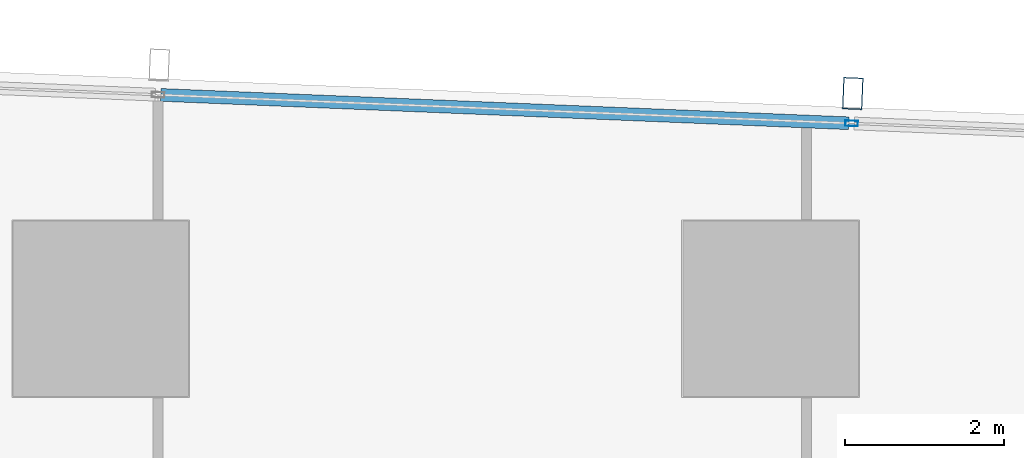
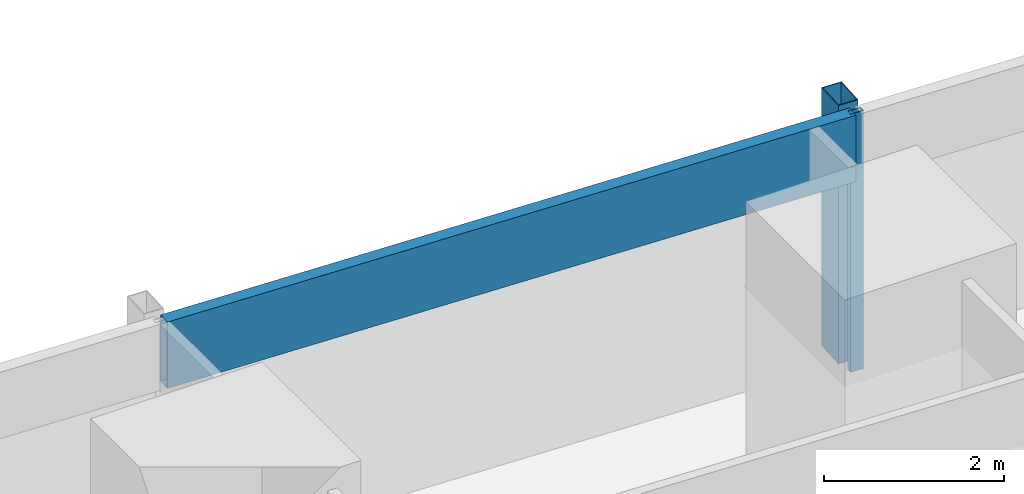
# One storey, part 22 of 42: 3 members, 1 element without a shape of its own.
"""IFC4 building model written with IfcOpenShell, lengths in metres."""

from ifc_helpers import new_model, si_unit, direction, frame, origin, origin_2d, place, context, subcontext, project, spatial, hollow_rectangle, extrude, material, material_profile, profile_set, type_object, element, aggregate, save


model = new_model("IFC4")

# Units and contexts
model_context = context("Model", 3, precision=1e-05, world=origin(), true_north=direction((0.0, 1.0)))
body_context = subcontext(model_context, "Body", "Model", "MODEL_VIEW")
ifc_project = project(units=[si_unit("LENGTHUNIT", "METRE"), si_unit("AREAUNIT", "SQUARE_METRE"), si_unit("VOLUMEUNIT", "CUBIC_METRE"), si_unit("PLANEANGLEUNIT", "RADIAN"), si_unit("MASSUNIT", "GRAM", prefix="KILO")], contexts=[model_context])

# Site, building, storey
site_placement = place(None, origin())
site = spatial("IfcSite", under=ifc_project, at=site_placement, CompositionType="ELEMENT")
building_placement = place(site_placement, origin())
building = spatial("IfcBuilding", under=site, at=building_placement, Name="Rekha Terrace Tower", CompositionType="ELEMENT")
storey_placement = place(building_placement, frame((0.0, 0.0, 70.39990234375)))
storey = spatial("IfcBuildingStorey", under=building, at=storey_placement, Name="L17", CompositionType="ELEMENT", Elevation=70.39990234375)

# Curtain wall, members
ifc_material_1 = material(Name="Aluminium framing", Category="aluminium")
curtain_wall_type = type_object("IfcCurtainWallType", Name="CW3 north unitised glazing", PredefinedType="USERDEFINED", material=ifc_material_1)
curtain_wall_placement = place(storey_placement, origin())
curtain_wall = element("IfcCurtainWall", 1, at=curtain_wall_placement, inside=storey, type_object=curtain_wall_type, Name="CW3 unitised curtain wall", ObjectType="UNITISED CURTAIN WALL", PredefinedType="USERDEFINED")
ifc_material_2 = material(Name="Steel S355 with fluorocarbon finish", Category="steel")
ifc_material_profile_1 = material_profile(ifc_material_2, hollow_rectangle(XDim=0.25, YDim=0.39990234375, WallThickness=0.012451171875, at=origin_2d()), Name="RHS400x250x12.5")
ifc_profile_set_1 = profile_set([ifc_material_profile_1], Name="Steel S355 with fluorocarbon finish")
member_type_1 = type_object("IfcMemberType", Name="BL1 facade blade RHS 400 x 250", PredefinedType="USERDEFINED", material=ifc_profile_set_1)
member_1_placement = place(storey_placement, frame((51.430419921875, 61.499267578125, 0.0), z_axis=(0.0, 0.0, 1.0), x_axis=(-0.99915196507, 0.041174636562, 0.0)))
member_1 = element("IfcMember", 2, at=member_1_placement, type_object=member_type_1, Name="Facade blade", ObjectType="FACADE BLADE", PredefinedType="USERDEFINED", context=body_context, shape_type="SweptSolid", body=[
    extrude(hollow_rectangle(XDim=0.25, YDim=0.39990234375, WallThickness=0.012451171875, at=origin_2d()), origin(), (0.0, 0.0, 1.0), 3.5),
])
ifc_material_3 = material(Name="Aluminium mullion section", Category="aluminium")
ifc_material_profile_2 = material_profile(ifc_material_3, hollow_rectangle(XDim=0.070068359375, YDim=0.159912109375, WallThickness=0.00390625, at=origin_2d()), Name="AL RHS 70x160")
ifc_profile_set_2 = profile_set([ifc_material_profile_2], Name="Aluminium mullion section")
member_type_2 = type_object("IfcMemberType", Name="CW3 mullion RHS 70 x 160", PredefinedType="MULLION", material=ifc_profile_set_2)
member_2_placement = place(storey_placement, frame((51.4150390625, 61.12451171875, 0.0), z_axis=(0.0, 0.0, 1.0), x_axis=(-0.041173846041, -0.999151997647, 0.0)))
member_2 = element("IfcMember", 3, at=member_2_placement, type_object=member_type_2, Name="CW3 mullion 3", PredefinedType="MULLION", context=body_context, shape_type="SweptSolid", body=[
    extrude(hollow_rectangle(XDim=0.070068359375, YDim=0.159912109375, WallThickness=0.00390625, at=origin_2d()), origin(), (0.0, 0.0, 1.0), 3.5),
])
ifc_material_4 = material(Name="Insulated aluminium spandrel box", Category="aluminium")
ifc_material_profile_3 = material_profile(ifc_material_4, hollow_rectangle(XDim=0.159912109375, YDim=0.89990234375, WallThickness=0.0029296875, at=origin_2d()), Name="AL SPANDREL BOX 160x900")
ifc_profile_set_3 = profile_set([ifc_material_profile_3], Name="Insulated aluminium spandrel box")
member_type_3 = type_object("IfcMemberType", Name="CW3 spandrel transom 160 x 900", PredefinedType="USERDEFINED", material=ifc_profile_set_3)
member_3_placement = place(storey_placement, frame((51.380126953125, 61.1259765625, 3.050048828125), z_axis=(-0.999152128669, 0.041170666459, 0.0), x_axis=(-0.041170666459, -0.999152128669, 0.0)))
member_3 = element("IfcMember", 4, at=member_3_placement, type_object=member_type_3, Name="CW3 spandrel transom 3", ObjectType="TRANSOM", PredefinedType="USERDEFINED", context=body_context, shape_type="SweptSolid", body=[
    extrude(hollow_rectangle(XDim=0.159912109375, YDim=0.89990234375, WallThickness=0.0029296875, at=origin_2d()), origin(), (0.0, 0.0, 1.0), 8.634033203125),
])
aggregate(curtain_wall, [member_2, member_3, member_1])

save(model, "model.ifc")
